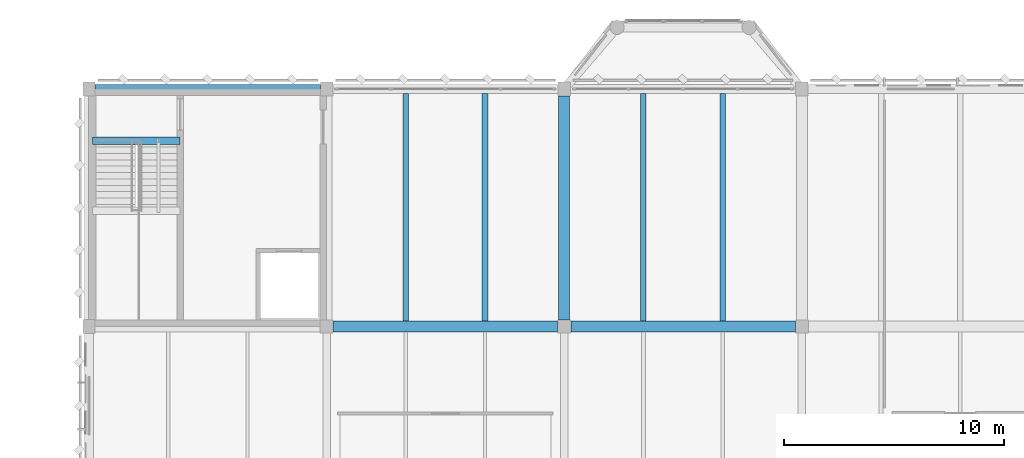
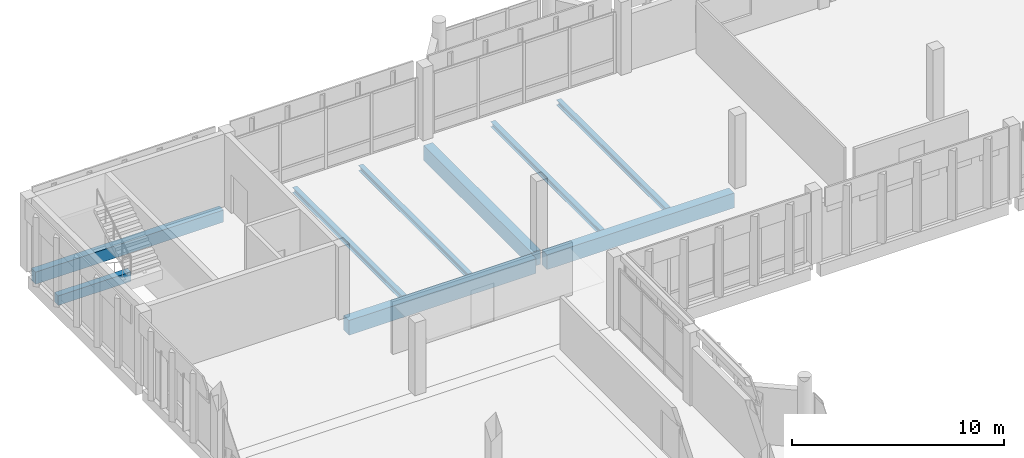
# One storey, part 42 of 158: 9 beams.
"""IFC4 building model written with IfcOpenShell, lengths in metres."""

from ifc_helpers import new_model, si_unit, direction, frame, origin, origin_2d, place, context, subcontext, project, spatial, rectangle, i_section, extrude, material, material_profile, profile_set, type_object, element, save


model = new_model("IFC4")

# Units and contexts
model_context = context("Model", 3, precision=1e-05, world=origin(), true_north=direction((0.0, 1.0)))
body_context = subcontext(model_context, "Body", "Model", "MODEL_VIEW")
ifc_project = project(units=[si_unit("LENGTHUNIT", "METRE"), si_unit("AREAUNIT", "SQUARE_METRE"), si_unit("VOLUMEUNIT", "CUBIC_METRE"), si_unit("PLANEANGLEUNIT", "RADIAN"), si_unit("MASSUNIT", "GRAM", prefix="KILO")], contexts=[model_context])

# Site, building, storey
site_placement = place(None, origin())
site = spatial("IfcSite", under=ifc_project, at=site_placement, CompositionType="ELEMENT")
building_placement = place(site_placement, origin())
building = spatial("IfcBuilding", under=site, at=building_placement, Name="Lusvemor Sports Hall", CompositionType="ELEMENT")
storey_placement = place(building_placement, frame((0.0, 0.0, 10.800048828125)))
storey = spatial("IfcBuildingStorey", under=building, at=storey_placement, Name="L02", CompositionType="ELEMENT", Elevation=10.800048828125)

# Beams
ifc_material_1 = material(Name="Concrete C40/50", Category="concrete")
ifc_material_profile_1 = material_profile(ifc_material_1, rectangle(XDim=0.35009765625, YDim=0.550048828125, at=origin_2d()), Name="RC350x550")
ifc_profile_set_1 = profile_set([ifc_material_profile_1], Name="Concrete C40/50")
beam_type_1 = type_object("IfcBeamType", Name="BEAM_RC_550", PredefinedType="BEAM", material=ifc_profile_set_1)
beam_1_placement = place(storey_placement, frame((0.159912109375, 112.85009765625, -0.455078125), z_axis=(1.0, 0.0, 0.0), x_axis=(0.0, 1.0, 0.0)))
element("IfcBeam", 1, at=beam_1_placement, inside=storey, type_object=beam_type_1, Name="Stair STR-C1-L01 Top-Landing Beam", PredefinedType="BEAM", context=body_context, shape_type="SweptSolid", body=[
    extrude(rectangle(XDim=0.35009765625, YDim=0.550048828125, at=origin_2d()), origin(), (0.0, 0.0, 1.0), 3.97998046875),
])
ifc_material_2 = material(Name="Concrete C40/50", Category="concrete")
ifc_material_profile_2 = material_profile(ifc_material_2, rectangle(XDim=0.5, YDim=0.85009765625, at=origin_2d()), Name="RC500x850")
ifc_profile_set_2 = profile_set([ifc_material_profile_2], Name="Concrete C40/50")
beam_type_2 = type_object("IfcBeamType", Name="GIRD_RC_850", PredefinedType="T_BEAM", material=ifc_profile_set_2)
for number, where, z_axis, x_axis, name in (
    (2, (11.095947265625, 104.39990234375, -0.68505859375), (1.0, 0.0, 0.0), (0.0, 1.0, 0.0), "Beam L02 P:2-3"),
    (3, (21.89599609375, 104.39990234375, -0.68505859375), (1.0, 0.0, 0.0), (0.0, 1.0, 0.0), "Beam L02 P:3-4"),
):
    element("IfcBeam", number, at=place(storey_placement, frame(where, z_axis=z_axis, x_axis=x_axis)), inside=storey, type_object=beam_type_2, Name=name, PredefinedType="T_BEAM", context=body_context, shape_type="SweptSolid", body=[
        extrude(rectangle(XDim=0.5, YDim=0.85009765625, at=origin_2d()), origin(), (0.0, 0.0, 1.0), 10.2080078125),
    ])
beam_2_placement = place(storey_placement, frame((21.60009765625, 104.696044921875, -0.68505859375), z_axis=(0.0, 1.0, 0.0), x_axis=(-1.0, 0.0, 0.0)))
element("IfcBeam", 4, at=beam_2_placement, inside=storey, type_object=beam_type_2, Name="Beam L02 3:P-Q", PredefinedType="T_BEAM", context=body_context, shape_type="SweptSolid", body=[
    extrude(rectangle(XDim=0.5, YDim=0.85009765625, at=origin_2d()), origin(), (0.0, 0.0, 1.0), 10.18798828125),
])
ifc_material_3 = material(Name="Steel S355", Category="steel")
ifc_material_profile_3 = material_profile(ifc_material_3, i_section(OverallWidth=0.25390625, OverallDepth=0.305908203125, WebThickness=0.0087890625, FlangeThickness=0.0146484375, FilletRadius=0.014892578125, at=origin_2d()), Name="W310x79.0")
ifc_profile_set_3 = profile_set([ifc_material_profile_3], Name="Steel S355")
beam_type_3 = type_object("IfcBeamType", Name="JOIST_ST_310H", PredefinedType="JOIST", material=ifc_profile_set_3)
for number, where, z_axis, x_axis, name in (
    (5, (14.39990234375, 104.64599609375, -0.4169921875), (0.0, 1.0, 0.0), (-1.0, 0.0, 0.0), "Secondary Joist L02 2-3/P-Q #1"),
    (6, (18.0, 104.64599609375, -0.4169921875), (0.0, 1.0, 0.0), (-1.0, 0.0, 0.0), "Secondary Joist L02 2-3/P-Q #2"),
    (7, (25.199951171875, 104.64599609375, -0.4169921875), (0.0, 1.0, 0.0), (-1.0, 0.0, 0.0), "Secondary Joist L02 3-4/P-Q #1"),
    (8, (28.800048828125, 104.64599609375, -0.4169921875), (0.0, 1.0, 0.0), (-1.0, 0.0, 0.0), "Secondary Joist L02 3-4/P-Q #2"),
):
    element("IfcBeam", number, at=place(storey_placement, frame(where, z_axis=z_axis, x_axis=x_axis)), inside=storey, type_object=beam_type_3, Name=name, PredefinedType="JOIST", context=body_context, shape_type="SweptSolid", body=[
        extrude(i_section(OverallWidth=0.25390625, OverallDepth=0.305908203125, WebThickness=0.0087890625, FlangeThickness=0.0146484375, FilletRadius=0.014892578125, at=origin_2d()), origin(), (0.0, 0.0, 1.0), 10.35791015625),
    ])
ifc_material_4 = material(Name="Concrete C40/50", Category="concrete")
ifc_material_profile_4 = material_profile(ifc_material_4, rectangle(XDim=0.39990234375, YDim=0.699951171875, at=origin_2d()), Name="RC400x700")
ifc_profile_set_4 = profile_set([ifc_material_profile_4], Name="Concrete C40/50")
beam_type_4 = type_object("IfcBeamType", Name="SPAND_EXT_700", PredefinedType="SPANDREL", material=ifc_profile_set_4)
beam_3_placement = place(storey_placement, frame((0.27587890625, 115.199951171875, -0.610107421875), z_axis=(1.0, 0.0, 0.0), x_axis=(0.0, 1.0, 0.0)))
element("IfcBeam", 9, at=beam_3_placement, inside=storey, type_object=beam_type_4, Name="Beam L02 Q:1-2", PredefinedType="SPANDREL", context=body_context, shape_type="SweptSolid", body=[
    extrude(rectangle(XDim=0.39990234375, YDim=0.699951171875, at=origin_2d()), origin(), (0.0, 0.0, 1.0), 10.248046875),
])

save(model, "model.ifc")
